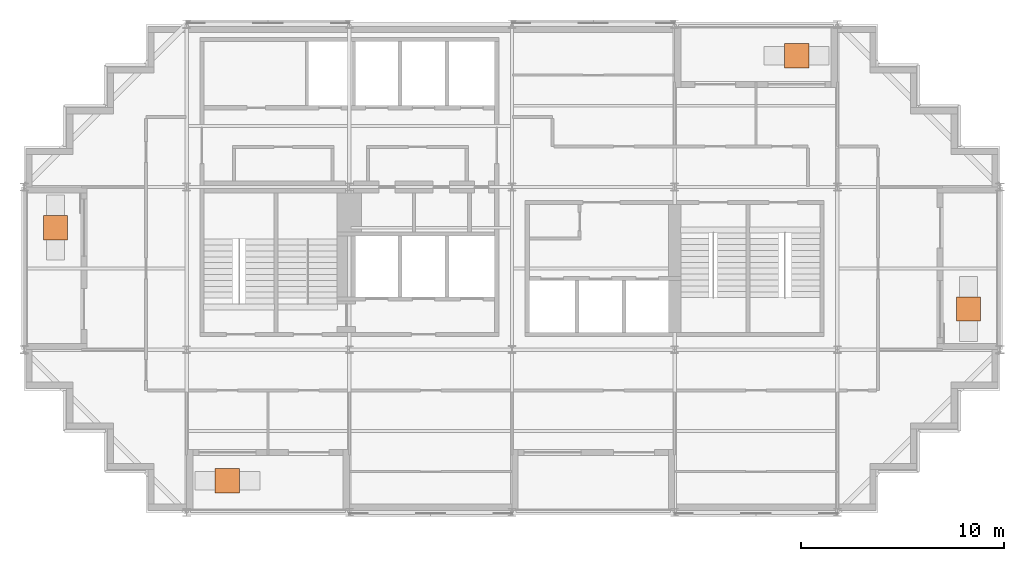
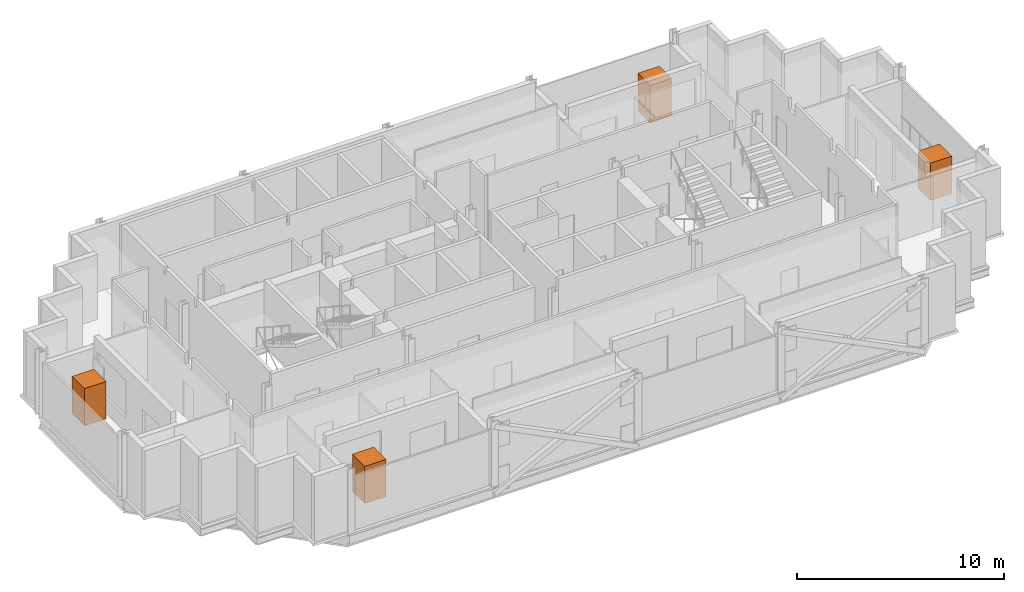
# One storey, part 10 of 10: 4 geographic elements.
"""IFC4 building model written with IfcOpenShell, lengths in metres."""

import ifcopenshell
import ifcopenshell.guid

model = None  # the IFC model being written
_history = None  # IfcOwnerHistory: only IFC2X3 demands one
_inside = {}  # id of a spatial element -> (the spatial element, [elements in it])
_under = {}  # id of a project, library or spatial element -> (it, [spatial elements below it])
_declared = {}  # id of a project -> (the project, [libraries it declares])
_typed = {}  # id of a type object -> (the type object, [elements of that type])
_made_of = {}  # id of a material, layer set ... -> (it, [elements and type objects made of it])


def new_model(schema):
    """Start an empty IFC model of exactly this schema.

    Asked for "IFC4X3", IfcOpenShell would pick the latest addendum, in which some entities
    have other attributes; the version numbers below select the first issue.
    IFC2X3 requires an IfcOwnerHistory on every rooted entity: one is made here for all.
    """
    global model, _history
    if schema == "IFC4X3":
        model = ifcopenshell.file(schema_version=(4, 3, 0, 0))
    else:
        model = ifcopenshell.file(schema=schema)
    _inside.clear()
    _under.clear()
    _declared.clear()
    _typed.clear()
    _made_of.clear()
    _history = None
    if model.schema == "IFC2X3":
        org = make("IfcOrganization", Name="unknown")
        user = make(
            "IfcPersonAndOrganization",
            ThePerson=make("IfcPerson", FamilyName="unknown"),
            TheOrganization=org,
        )
        app = make(
            "IfcApplication",
            ApplicationDeveloper=org,
            Version="unknown",
            ApplicationFullName="unknown",
            ApplicationIdentifier="unknown",
        )
        _history = make(
            "IfcOwnerHistory",
            OwningUser=user,
            OwningApplication=app,
            ChangeAction="ADDED",
            CreationDate=0,
        )
    return model


def make(cls, **values):
    """One entity of the class cls with the attributes given. An attribute that is None is left unset."""
    return model.create_entity(
        cls, **{name: value for name, value in values.items() if value is not None}
    )


def rooted(cls, **values):
    """An entity with a GlobalId (a new one), such as an element, a storey or a relation."""
    return make(cls, GlobalId=ifcopenshell.guid.new(), OwnerHistory=_history, **values)


def si_unit(unit_type, name, prefix=None):
    """IfcSIUnit, for example si_unit("LENGTHUNIT", "METRE", prefix="MILLI")."""
    return make("IfcSIUnit", UnitType=unit_type, Prefix=prefix, Name=name)


def assignment(units):
    """IfcUnitAssignment: the units of a project."""
    return None if units is None else make("IfcUnitAssignment", Units=units)


def point(xyz):
    """IfcCartesianPoint."""
    return None if xyz is None else make("IfcCartesianPoint", Coordinates=xyz)


def direction(xyz):
    """IfcDirection."""
    return None if xyz is None else make("IfcDirection", DirectionRatios=xyz)


def frame(location, z_axis=None, x_axis=None):
    """IfcAxis2Placement3D, a coordinate frame: its origin and axes. An axis left out is left unset."""
    return make(
        "IfcAxis2Placement3D",
        Location=point(location),
        Axis=direction(z_axis),
        RefDirection=direction(x_axis),
    )


def frame_2d(location, x_axis=None):
    """IfcAxis2Placement2D, a coordinate frame in the plane: its origin and x axis."""
    return make(
        "IfcAxis2Placement2D", Location=point(location), RefDirection=direction(x_axis)
    )


def origin():
    """The frame at (0, 0, 0) with its axes left unset."""
    return frame((0.0, 0.0, 0.0))


def origin_2d():
    """The frame at (0, 0) in the plane with its x axis left unset."""
    return frame_2d((0.0, 0.0))


def place(relative_to, where):
    """IfcLocalPlacement: puts the frame where relative to a parent placement (None: the world)."""
    return make(
        "IfcLocalPlacement", PlacementRelTo=relative_to, RelativePlacement=where
    )


def context(
    kind, dimensions, precision=None, world=None, true_north=None, identifier=None
):
    """IfcGeometricRepresentationContext, for example the 3D "Model" context."""
    return make(
        "IfcGeometricRepresentationContext",
        ContextIdentifier=identifier,
        ContextType=kind,
        CoordinateSpaceDimension=dimensions,
        Precision=precision,
        WorldCoordinateSystem=world,
        TrueNorth=true_north,
    )


def subcontext(parent, identifier, kind, view, scale=None):
    """IfcGeometricRepresentationSubContext, for example "Body" below "Model"."""
    return make(
        "IfcGeometricRepresentationSubContext",
        ContextIdentifier=identifier,
        ContextType=kind,
        ParentContext=parent,
        TargetScale=scale,
        TargetView=view,
    )


def project(units=None, contexts=None):
    """IfcProject with its units and contexts."""
    return rooted(
        "IfcProject",
        Name="project",
        RepresentationContexts=contexts,
        UnitsInContext=assignment(units),
    )


def spatial(cls, under=None, at=None, **own):
    """A site, building, storey or space (cls), placed at a placement, below another one or the project."""
    s = rooted(cls, ObjectPlacement=at, **own)
    if under is not None:
        _under.setdefault(under.id(), (under, []))[1].append(s)
    return s


def profile(cls, at=None, kind="AREA", **sizes):
    """A parametric profile (cls). Its sizes go by their IFC names, for example OverallWidth=200.0."""
    return make(cls, ProfileType=kind, Position=at, **sizes)


def rectangle(**sizes):
    """IfcRectangleProfileDef."""
    return profile("IfcRectangleProfileDef", **sizes)


def extrude(swept, where, along, depth):
    """IfcExtrudedAreaSolid: the profile swept, set in the frame where, extruded along a direction by depth."""
    return make(
        "IfcExtrudedAreaSolid",
        SweptArea=swept,
        Position=where,
        ExtrudedDirection=direction(along),
        Depth=depth,
    )


def shape(context_of_items, identifier, shape_type, items):
    """IfcShapeRepresentation: the items that make up one representation, for example the "Body"."""
    return make(
        "IfcShapeRepresentation",
        ContextOfItems=context_of_items,
        RepresentationIdentifier=identifier,
        RepresentationType=shape_type,
        Items=items,
    )


def material(Name=None, Category=None):
    """IfcMaterial."""
    return make("IfcMaterial", Name=Name, Category=Category)


def made_of(thing, what):
    """Note that an element or type object is made of a material, layer set ...; save() writes the relation."""
    if what is not None:
        _made_of.setdefault(what.id(), (what, []))[1].append(thing)
    return thing


def type_object(cls, material=None, **own):
    """A type object (cls), such as IfcWallType, which elements share."""
    return made_of(rooted(cls, **own), material)


def element(
    cls,
    number,
    at=None,
    inside=None,
    cuts=None,
    type_object=None,
    material=None,
    context=None,
    identifier="Body",
    shape_type=None,
    held_by="IfcProductDefinitionShape",
    body=None,
    shapes=None,
    **own,
):
    """One element of the class cls, such as IfcWall. Its Tag is "e" and its number.

    at: its placement. inside: the storey or other place that contains it. cuts: it is an
    opening in that element (IfcRelVoidsElement). A single representation is given by context,
    identifier, shape_type and body (its items); several are given by shapes. held_by: the class
    of the entity that holds the representations. save() writes the other relations.
    """
    e = rooted(cls, Tag="e%d" % number, ObjectPlacement=at, **own)
    if body is not None:
        shapes = [shape(context, identifier, shape_type, body)]
    if shapes is not None:
        e.Representation = make(held_by, Representations=shapes)
    if inside is not None:
        _inside.setdefault(inside.id(), (inside, []))[1].append(e)
    if cuts is not None:
        rooted(
            "IfcRelVoidsElement", RelatingBuildingElement=cuts, RelatedOpeningElement=e
        )
    if type_object is not None:
        _typed.setdefault(type_object.id(), (type_object, []))[1].append(e)
    return made_of(e, material)


def aggregate(whole, parts):
    """IfcRelAggregates: a whole, such as a stair, and the parts it consists of."""
    return rooted("IfcRelAggregates", RelatingObject=whole, RelatedObjects=parts)


def save(model, path):
    """Write the relations noted so far, then the file.

    IfcRelAggregates (storeys below a building ...), IfcRelContainedInSpatialStructure (elements
    in a storey), IfcRelDefinesByType, IfcRelAssociatesMaterial and IfcRelDeclares: one each for
    every whole, place, type object, material and project.
    """
    for whole, parts in _under.values():
        aggregate(whole, parts)
    for where, things in _inside.values():
        rooted(
            "IfcRelContainedInSpatialStructure",
            RelatedElements=things,
            RelatingStructure=where,
        )
    for kind, things in _typed.values():
        rooted("IfcRelDefinesByType", RelatedObjects=things, RelatingType=kind)
    for what, things in _made_of.values():
        rooted("IfcRelAssociatesMaterial", RelatedObjects=things, RelatingMaterial=what)
    for by, libraries in _declared.values():
        rooted("IfcRelDeclares", RelatingContext=by, RelatedDefinitions=libraries)
    model.write(path)


model = new_model("IFC4")

# Units and contexts
model_context = context("Model", 3, precision=1e-05, world=origin(), true_north=direction((0.0, 1.0)))
body_context = subcontext(model_context, "Body", "Model", "MODEL_VIEW")
ifc_project = project(units=[si_unit("LENGTHUNIT", "METRE"), si_unit("AREAUNIT", "SQUARE_METRE"), si_unit("VOLUMEUNIT", "CUBIC_METRE"), si_unit("PLANEANGLEUNIT", "RADIAN"), si_unit("MASSUNIT", "GRAM", prefix="KILO")], contexts=[model_context])

# Site, building, storey
site_placement = place(None, origin())
site = spatial("IfcSite", under=ifc_project, at=site_placement, CompositionType="ELEMENT")
building_placement = place(site_placement, origin())
building = spatial("IfcBuilding", under=site, at=building_placement, Name="Immortelle Media Tower", CompositionType="ELEMENT")
storey_placement = place(building_placement, frame((0.0, 0.0, 259.0)))
storey = spatial("IfcBuildingStorey", under=building, at=storey_placement, Name="L56", CompositionType="ELEMENT", Elevation=259.0)

# Geographic elements
ifc_material = material(Name="Tree canopy foliage")
geographic_element_type = type_object("IfcGeographicElementType", Name="Tree", PredefinedType="USERDEFINED", material=ifc_material)
for number, where, z_axis, x_axis, name in (
    (1, (10.0, 1.550048828125, 0.60009765625), (0.0, 0.0, 1.0), (1.0, 0.0, 0.0), "Tree L56 S0"),
    (2, (46.449951171875, 10.0, 0.60009765625), (0.0, 0.0, 1.0), (1.0, 0.0, 0.0), "Tree L56 E0"),
    (3, (38.0, 22.449951171875, 0.60009765625), (0.0, 0.0, 1.0), (1.0, 0.0, 0.0), "Tree L56 N0"),
    (4, (1.550048828125, 14.0, 0.60009765625), (0.0, 0.0, 1.0), (1.0, 0.0, 0.0), "Tree L56 W0"),
):
    element("IfcGeographicElement", number, at=place(storey_placement, frame(where, z_axis=z_axis, x_axis=x_axis)), inside=storey, type_object=geographic_element_type, Name=name, ObjectType="Tree", PredefinedType="USERDEFINED", context=body_context, shape_type="SweptSolid", body=[
        extrude(rectangle(XDim=1.199951171875, YDim=1.199951171875, at=origin_2d()), origin(), (0.0, 0.0, 1.0), 2.199951171875),
    ])

save(model, "model.ifc")
